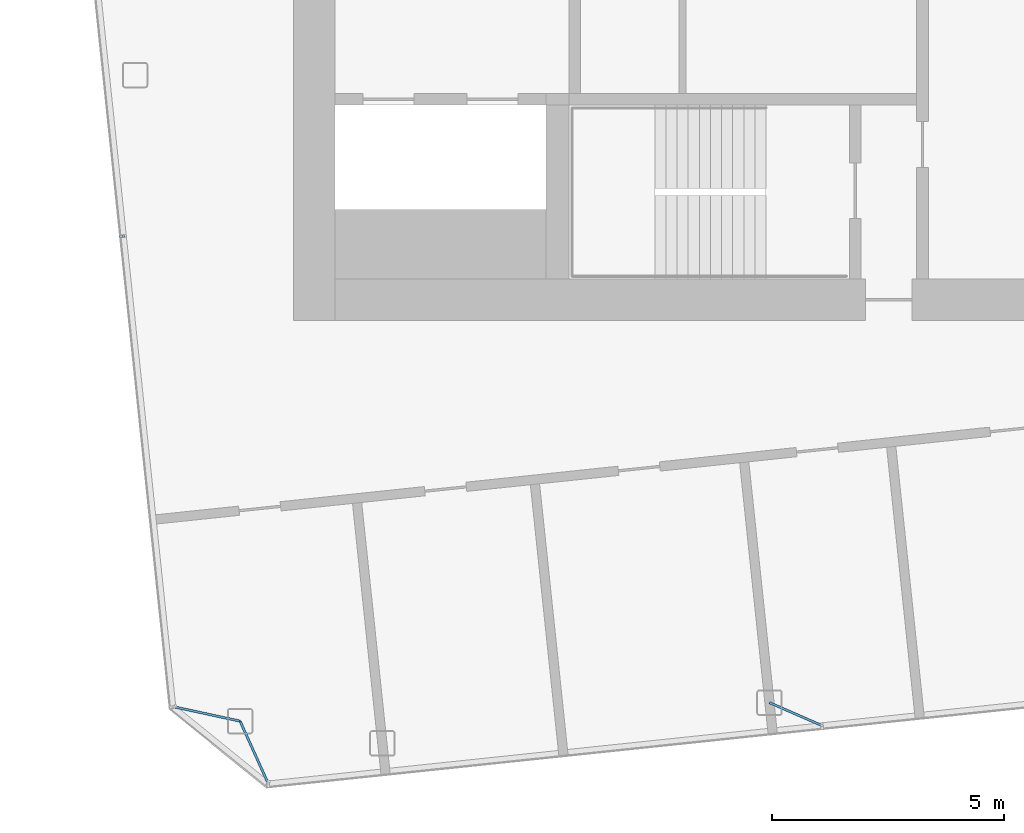
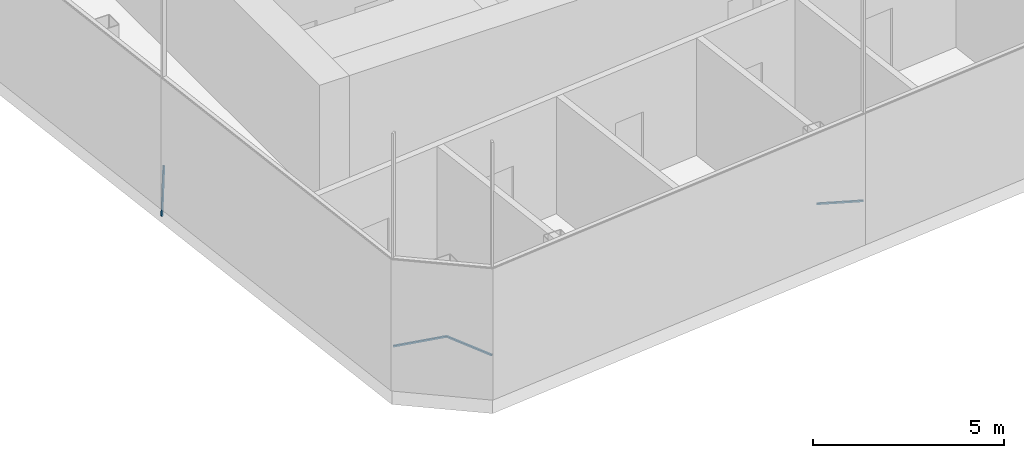
# One storey, part 20 of 41: 4 discrete accessories.
"""IFC4 building model written with IfcOpenShell, lengths in metres."""

from ifc_helpers import new_model, si_unit, direction, frame, origin, origin_2d, place, context, subcontext, project, spatial, rectangle, extrude, material, material_profile, profile_set, type_object, element, save


model = new_model("IFC4")

# Units and contexts
model_context = context("Model", 3, precision=1e-05, world=origin(), true_north=direction((0.0, 1.0)))
body_context = subcontext(model_context, "Body", "Model", "MODEL_VIEW")
ifc_project = project(units=[si_unit("LENGTHUNIT", "METRE"), si_unit("AREAUNIT", "SQUARE_METRE"), si_unit("VOLUMEUNIT", "CUBIC_METRE"), si_unit("PLANEANGLEUNIT", "RADIAN"), si_unit("MASSUNIT", "GRAM", prefix="KILO")], contexts=[model_context])

# Site, building, storey
site_placement = place(None, origin())
site = spatial("IfcSite", under=ifc_project, at=site_placement, CompositionType="ELEMENT")
building_placement = place(site_placement, origin())
building = spatial("IfcBuilding", under=site, at=building_placement, Name="Hakoniwa Tower and Hamabe Station Hall", CompositionType="ELEMENT")
storey_placement = place(building_placement, frame((0.0, 0.0, 276.60009765625)))
storey = spatial("IfcBuildingStorey", under=building, at=storey_placement, Name="L77", CompositionType="ELEMENT", Elevation=276.60009765625)

# Discrete accessories
ifc_material = material(Name="Stainless steel SUS304", Category="steel")
ifc_material_profile = material_profile(ifc_material, rectangle(XDim=0.050048828125, YDim=0.050048828125, at=origin_2d()), Name="CW-4 GLAZING BRACKET 50X50")
ifc_profile_set = profile_set([ifc_material_profile], Name="Stainless steel SUS304")
discrete_accessory_type = type_object("IfcDiscreteAccessoryType", Name="CW-4 GLAZING BRACKET 50X50", PredefinedType="BRACKET", material=ifc_profile_set)
discrete_accessory_1_placement = place(storey_placement, frame((-37.265625, -6.574951171875, 1.366455078125), z_axis=(-0.037402566171, -0.003985519346, -0.999292331442), x_axis=(0.105957528947, -0.994370656274, 0.0)))
element("IfcDiscreteAccessory", 1, at=discrete_accessory_1_placement, inside=storey, type_object=discrete_accessory_type, Name="Glazing bracket", PredefinedType="BRACKET", context=body_context, shape_type="SweptSolid", body=[
    extrude(rectangle(XDim=0.050048828125, YDim=0.050048828125, at=origin_2d()), origin(), (0.0, 0.0, 1.0), 1.5927734375),
])
discrete_accessory_2_placement = place(storey_placement, frame((-36.180419921875, -16.732666015625, 1.366455078125), z_axis=(0.977316231822, -0.211785228515, 0.0), x_axis=(0.211785228515, 0.977316231822, 0.0)))
element("IfcDiscreteAccessory", 2, at=discrete_accessory_2_placement, inside=storey, type_object=discrete_accessory_type, Name="Glazing bracket", PredefinedType="BRACKET", context=body_context, shape_type="SweptSolid", body=[
    extrude(rectangle(XDim=0.050048828125, YDim=0.050048828125, at=origin_2d()), origin(), (0.0, 0.0, 1.0), 1.462890625),
])
discrete_accessory_3_placement = place(storey_placement, frame((-34.149169921875, -18.377197265625, 1.366455078125), z_axis=(-0.410898518792, 0.911681088569, 0.0), x_axis=(-0.911681088569, -0.410898518792, 0.0)))
element("IfcDiscreteAccessory", 3, at=discrete_accessory_3_placement, inside=storey, type_object=discrete_accessory_type, Name="Glazing bracket", PredefinedType="BRACKET", context=body_context, shape_type="SweptSolid", body=[
    extrude(rectangle(XDim=0.050048828125, YDim=0.050048828125, at=origin_2d()), origin(), (0.0, 0.0, 1.0), 1.464111328125),
])
discrete_accessory_4_placement = place(storey_placement, frame((-22.195556640625, -17.1376953125, 1.366455078125), z_axis=(-0.916329705794, 0.40042461248, 0.0), x_axis=(-0.40042461248, -0.916329705794, 0.0)))
element("IfcDiscreteAccessory", 4, at=discrete_accessory_4_placement, inside=storey, type_object=discrete_accessory_type, Name="Glazing bracket", PredefinedType="BRACKET", context=body_context, shape_type="SweptSolid", body=[
    extrude(rectangle(XDim=0.050048828125, YDim=0.050048828125, at=origin_2d()), origin(), (0.0, 0.0, 1.0), 1.234619140625),
])

save(model, "model.ifc")
